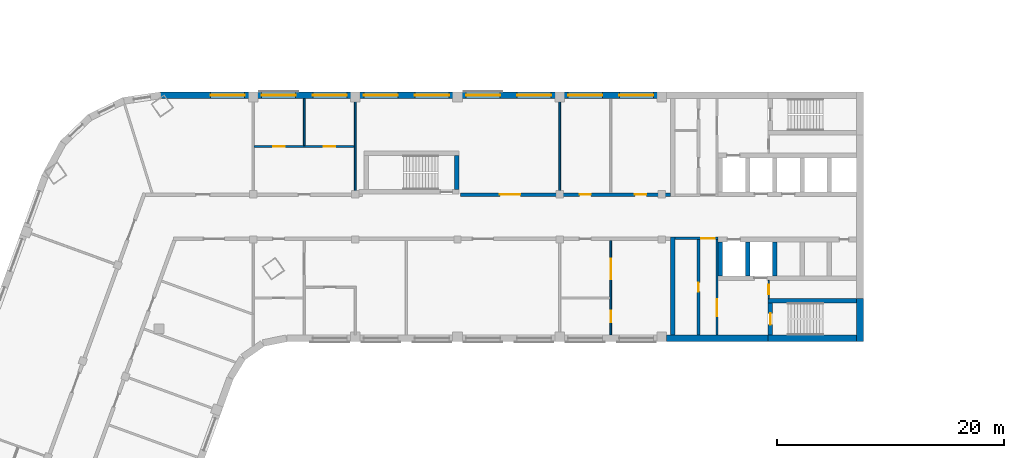
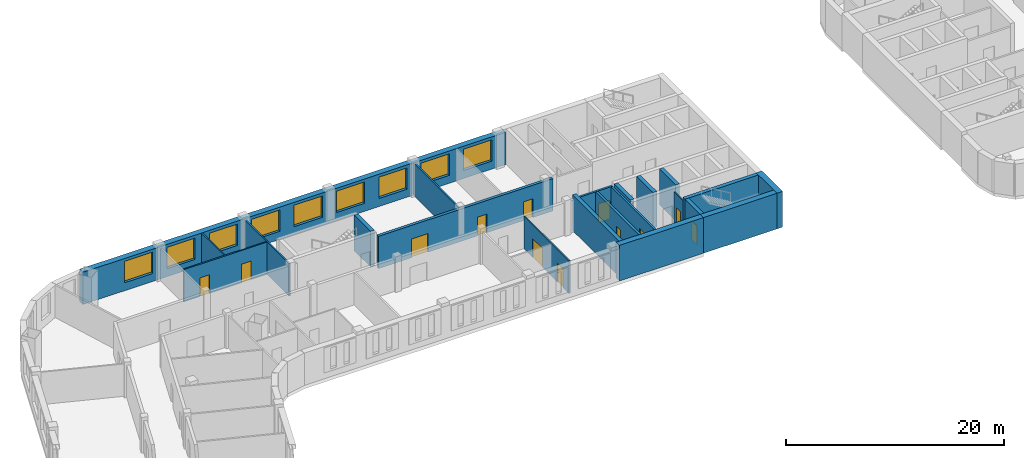
# One storey, part 5 of 10: 21 walls, 12 doors, 9 windows, 21 openings.
"""IFC4 building model written with IfcOpenShell, lengths in metres."""

from ifc_helpers import new_model, si_unit, direction, frame, frame_2d, origin, place, context, subcontext, project, spatial, rectangle, extrude, material, layer, layer_set, type_object, element, fill, save


model = new_model("IFC4")

# Units and contexts
model_context = context("Model", 3, precision=1e-05, world=origin(), true_north=direction((0.0, 1.0)))
body_context = subcontext(model_context, "Body", "Model", "MODEL_VIEW")
ifc_project = project(units=[si_unit("LENGTHUNIT", "METRE"), si_unit("AREAUNIT", "SQUARE_METRE"), si_unit("VOLUMEUNIT", "CUBIC_METRE"), si_unit("PLANEANGLEUNIT", "RADIAN"), si_unit("MASSUNIT", "GRAM", prefix="KILO")], contexts=[model_context])

# Site, building, storey
site_placement = place(None, origin())
site = spatial("IfcSite", under=ifc_project, at=site_placement, CompositionType="ELEMENT")
building_placement = place(site_placement, origin())
building = spatial("IfcBuilding", under=site, at=building_placement, Name="Skarvind Civic Tower", CompositionType="ELEMENT")
storey_placement = place(building_placement, frame((0.0, 0.0, 97.0)))
storey = spatial("IfcBuildingStorey", under=building, at=storey_placement, Name="L22", CompositionType="ELEMENT", Elevation=97.0)

# Wall, openings, doors
ifc_material_1 = material(Name="Fire-rated gypsum board on steel studs", Category="steel")
ifc_layer_1 = layer(ifc_material_1, 0.300048828125)
ifc_layer_set_1 = layer_set([ifc_layer_1], Name="CORRIDOR WALL 300")
wall_type_1 = type_object("IfcWallType", Name="CORRIDOR WALL 300", PredefinedType="PARTITIONING", material=ifc_layer_set_1)
wall_1_placement = place(storey_placement, frame((72.5, 129.949951171875, 0.0), z_axis=(0.0, 0.0, 1.0), x_axis=(1.0, 0.0, 0.0)))
wall_1 = element("IfcWall", 1, at=wall_1_placement, inside=storey, type_object=wall_type_1, Name="Partition 22.029", PredefinedType="PARTITIONING", context=body_context, shape_type="SweptSolid", body=[
    extrude(rectangle(XDim=18.5, YDim=0.300048828125, at=frame_2d((9.25, 0.0))), origin(), (0.0, 0.0, 1.0), 3.625),
])
opening_1_placement = place(wall_1_placement, frame((15.375, 0.0, 0.0)))
opening_1 = element("IfcOpeningElement", 2, at=opening_1_placement, cuts=wall_1, Name="Opening L22-D001", PredefinedType="OPENING", context=body_context, shape_type="SweptSolid", body=[
    extrude(rectangle(XDim=1.0, YDim=2.10009765625, at=frame_2d((0.5, 1.050048828125))), frame((0.0, 0.159912109375, 0.0), z_axis=(0.0, -1.0, 0.0), x_axis=(1.0, 0.0, 0.0)), (0.0, 0.0, 1.0), 0.320068359375),
])
opening_2_placement = place(wall_1_placement, frame((10.5, 0.0, 0.0)))
opening_2 = element("IfcOpeningElement", 3, at=opening_2_placement, cuts=wall_1, Name="Opening L22-D002", PredefinedType="OPENING", context=body_context, shape_type="SweptSolid", body=[
    extrude(rectangle(XDim=1.0, YDim=2.10009765625, at=frame_2d((0.5, 1.050048828125))), frame((0.0, 0.159912109375, 0.0), z_axis=(0.0, -1.0, 0.0), x_axis=(1.0, 0.0, 0.0)), (0.0, 0.0, 1.0), 0.320068359375),
])
opening_3_placement = place(wall_1_placement, frame((3.47509765625, 0.0, 0.0)))
opening_3 = element("IfcOpeningElement", 4, at=opening_3_placement, cuts=wall_1, Name="Opening L22-D003", PredefinedType="OPENING", context=body_context, shape_type="SweptSolid", body=[
    extrude(rectangle(XDim=1.800048828125, YDim=2.10009765625, at=frame_2d((0.89990234375, 1.050048828125))), frame((0.0, 0.159912109375, 0.0), z_axis=(0.0, -1.0, 0.0), x_axis=(1.0, 0.0, 0.0)), (0.0, 0.0, 1.0), 0.320068359375),
])
ifc_material_2 = material(Name="Fire-rated timber door leaf", Category="wood")
door_type_1 = type_object("IfcDoorType", Name="FD1 1000x2100", OperationType="NOTDEFINED", PredefinedType="DOOR", material=ifc_material_2)
door_1_placement = place(opening_1_placement, origin())
door_1 = element("IfcDoor", 5, at=door_1_placement, inside=storey, type_object=door_type_1, Name="Door L22-D001", OperationType="SINGLE_SWING_LEFT", OverallHeight=2.10009765625, OverallWidth=1.0, PredefinedType="DOOR", context=body_context, shape_type="SweptSolid", body=[
    extrude(rectangle(XDim=1.0, YDim=2.10009765625, at=frame_2d((0.5, 1.050048828125))), frame((0.0, 0.02490234375, 0.0), z_axis=(0.0, -1.0, 0.0), x_axis=(1.0, 0.0, 0.0)), (0.0, 0.0, 1.0), 0.050048828125),
])
fill(opening_1, door_1)
door_2_placement = place(opening_2_placement, origin())
door_2 = element("IfcDoor", 6, at=door_2_placement, inside=storey, type_object=door_type_1, Name="Door L22-D002", OperationType="SINGLE_SWING_LEFT", OverallHeight=2.10009765625, OverallWidth=1.0, PredefinedType="DOOR", context=body_context, shape_type="SweptSolid", body=[
    extrude(rectangle(XDim=1.0, YDim=2.10009765625, at=frame_2d((0.5, 1.050048828125))), frame((0.0, 0.02490234375, 0.0), z_axis=(0.0, -1.0, 0.0), x_axis=(1.0, 0.0, 0.0)), (0.0, 0.0, 1.0), 0.050048828125),
])
fill(opening_2, door_2)
door_type_2 = type_object("IfcDoorType", Name="FD4 1800x2100", OperationType="NOTDEFINED", PredefinedType="DOOR", material=ifc_material_2)
door_3_placement = place(opening_3_placement, origin())
door_3 = element("IfcDoor", 7, at=door_3_placement, inside=storey, type_object=door_type_2, Name="Door L22-D003", OperationType="DOUBLE_DOOR_SINGLE_SWING", OverallHeight=2.10009765625, OverallWidth=1.800048828125, PredefinedType="DOOR", context=body_context, shape_type="SweptSolid", body=[
    extrude(rectangle(XDim=1.800048828125, YDim=2.10009765625, at=frame_2d((0.89990234375, 1.050048828125))), frame((0.0, 0.02490234375, 0.0), z_axis=(0.0, -1.0, 0.0), x_axis=(1.0, 0.0, 0.0)), (0.0, 0.0, 1.0), 0.050048828125),
])
fill(opening_3, door_3)

# Wall, opening, door
ifc_material_3 = material(Name="Fire-rated masonry partition", Category="masonry")
ifc_layer_2 = layer(ifc_material_3, 0.199951171875)
ifc_layer_set_2 = layer_set([ifc_layer_2], Name="Core enclosure wall 200")
wall_type_2 = type_object("IfcWallType", Name="Core enclosure wall 200", PredefinedType="PARTITIONING", material=ifc_layer_set_2)
wall_2_placement = place(storey_placement, frame((95.199951171875, 126.10009765625, 0.0), z_axis=(0.0, 0.0, 1.0), x_axis=(-1.0, 0.0, 0.0)))
wall_2 = element("IfcWall", 8, at=wall_2_placement, inside=storey, type_object=wall_type_2, Name="Core wall C1", PredefinedType="PARTITIONING", context=body_context, shape_type="SweptSolid", body=[
    extrude(rectangle(XDim=3.800048828125, YDim=0.199951171875, at=frame_2d((1.89990234375, 0.0))), origin(), (0.0, 0.0, 1.0), 3.625),
])
opening_4_placement = place(wall_2_placement, frame((0.300048828125, 0.0, 0.0)))
opening_4 = element("IfcOpeningElement", 9, at=opening_4_placement, cuts=wall_2, Name="Opening D-L22-C1-05", PredefinedType="OPENING", context=body_context, shape_type="SweptSolid", body=[
    extrude(rectangle(XDim=1.199951171875, YDim=2.10009765625, at=frame_2d((0.60009765625, 1.050048828125))), frame((0.0, 0.10986328125, 0.0), z_axis=(0.0, -1.0, 0.0), x_axis=(1.0, 0.0, 0.0)), (0.0, 0.0, 1.0), 0.219970703125),
])
ifc_material_4 = material(Name="Fire-rated steel door", Category="steel")
door_type_3 = type_object("IfcDoorType", Name="Core lobby door 1200", OperationType="NOTDEFINED", PredefinedType="DOOR", material=ifc_material_4)
door_4_placement = place(opening_4_placement, origin())
door_4 = element("IfcDoor", 10, at=door_4_placement, inside=storey, type_object=door_type_3, Name="Fire door", OperationType="DOUBLE_DOOR_SINGLE_SWING", OverallHeight=2.10009765625, OverallWidth=1.199951171875, PredefinedType="DOOR", context=body_context, shape_type="SweptSolid", body=[
    extrude(rectangle(XDim=1.199951171875, YDim=2.10009765625, at=frame_2d((0.60009765625, 1.050048828125))), frame((0.0, 0.02490234375, 0.0), z_axis=(0.0, -1.0, 0.0), x_axis=(1.0, 0.0, 0.0)), (0.0, 0.0, 1.0), 0.050048828125),
])
fill(opening_4, door_4)

wall_3_placement = place(storey_placement, frame((95.10009765625, 117.60009765625, 0.0), z_axis=(0.0, 0.0, 1.0), x_axis=(0.0, 1.0, 0.0)))
wall_3 = element("IfcWall", 11, at=wall_3_placement, inside=storey, type_object=wall_type_2, Name="Core wall C1", PredefinedType="PARTITIONING", context=body_context, shape_type="SweptSolid", body=[
    extrude(rectangle(XDim=8.39990234375, YDim=0.199951171875, at=frame_2d((4.199951171875, 0.0))), origin(), (0.0, 0.0, 1.0), 3.625),
])
opening_5_placement = place(wall_3_placement, frame((1.64990234375, 0.0, 0.0)))
opening_5 = element("IfcOpeningElement", 12, at=opening_5_placement, cuts=wall_3, Name="Opening D-L22-C1-06", PredefinedType="OPENING", context=body_context, shape_type="SweptSolid", body=[
    extrude(rectangle(XDim=1.5, YDim=2.10009765625, at=frame_2d((0.75, 1.050048828125))), frame((0.0, 0.10986328125, 0.0), z_axis=(0.0, -1.0, 0.0), x_axis=(1.0, 0.0, 0.0)), (0.0, 0.0, 1.0), 0.219970703125),
])
door_type_4 = type_object("IfcDoorType", Name="Fire door 1500", OperationType="NOTDEFINED", PredefinedType="DOOR", material=ifc_material_4)
door_5_placement = place(opening_5_placement, origin())
door_5 = element("IfcDoor", 13, at=door_5_placement, inside=storey, type_object=door_type_4, Name="Fire door", OperationType="DOUBLE_DOOR_SINGLE_SWING", OverallHeight=2.10009765625, OverallWidth=1.5, PredefinedType="DOOR", context=body_context, shape_type="SweptSolid", body=[
    extrude(rectangle(XDim=1.5, YDim=2.10009765625, at=frame_2d((0.75, 1.050048828125))), frame((0.0, 0.02490234375, 0.0), z_axis=(0.0, -1.0, 0.0), x_axis=(1.0, 0.0, 0.0)), (0.0, 0.0, 1.0), 0.050048828125),
])
fill(opening_5, door_5)

# Wall
ifc_material_5 = material(Name="Concrete C80", Category="concrete")
ifc_layer_3 = layer(ifc_material_5, 0.39990234375)
ifc_layer_set_3 = layer_set([ifc_layer_3], Name="Core wall 400 C80")
wall_type_3 = type_object("IfcWallType", Name="Core wall 400 C80", PredefinedType="SHEAR", material=ifc_layer_set_3)
wall_4_placement = place(storey_placement, frame((107.39990234375, 120.60009765625, 0.0), z_axis=(0.0, 0.0, 1.0), x_axis=(-1.0, 0.0, 0.0)))
element("IfcWall", 14, at=wall_4_placement, inside=storey, type_object=wall_type_3, Name="Core wall C1 north stair inner L22", PredefinedType="SHEAR", context=body_context, shape_type="SweptSolid", body=[
    extrude(rectangle(XDim=7.7998046875, YDim=0.39990234375, at=frame_2d((3.89990234375, 0.0))), origin(), (0.0, 0.0, 1.0), 4.0),
])

# Wall, opening, door
wall_5_placement = place(storey_placement, frame((99.800048828125, 120.39990234375, 0.0), z_axis=(0.0, 0.0, 1.0), x_axis=(0.0, -1.0, 0.0)))
wall_5 = element("IfcWall", 15, at=wall_5_placement, inside=storey, type_object=wall_type_3, Name="Core wall C1 north stair end L22", PredefinedType="SHEAR", context=body_context, shape_type="SweptSolid", body=[
    extrude(rectangle(XDim=2.7998046875, YDim=0.39990234375, at=frame_2d((1.39990234375, 0.0))), origin(), (0.0, 0.0, 1.0), 4.0),
])
opening_6_placement = place(wall_5_placement, frame((0.89990234375, 0.0, 0.0)))
opening_6 = element("IfcOpeningElement", 16, at=opening_6_placement, cuts=wall_5, Name="Opening D-L22-C1-07", PredefinedType="OPENING", context=body_context, shape_type="SweptSolid", body=[
    extrude(rectangle(XDim=1.0, YDim=2.10009765625, at=frame_2d((0.5, 1.050048828125))), frame((0.0, 0.2099609375, 0.0), z_axis=(0.0, -1.0, 0.0), x_axis=(1.0, 0.0, 0.0)), (0.0, 0.0, 1.0), 0.419921875),
])
door_type_5 = type_object("IfcDoorType", Name="Fire door 1000", OperationType="NOTDEFINED", PredefinedType="DOOR", material=ifc_material_4)
door_6_placement = place(opening_6_placement, origin())
door_6 = element("IfcDoor", 17, at=door_6_placement, inside=storey, type_object=door_type_5, Name="Fire door", OperationType="SINGLE_SWING_LEFT", OverallHeight=2.10009765625, OverallWidth=1.0, PredefinedType="DOOR", context=body_context, shape_type="SweptSolid", body=[
    extrude(rectangle(XDim=1.0, YDim=2.10009765625, at=frame_2d((0.5, 1.050048828125))), frame((0.0, 0.02490234375, 0.0), z_axis=(0.0, -1.0, 0.0), x_axis=(1.0, 0.0, 0.0)), (0.0, 0.0, 1.0), 0.050048828125),
])
fill(opening_6, door_6)

# Walls
for number, where, z_axis, x_axis, name in (
    (18, (100.199951171875, 125.800048828125, 0.0), (0.0, 0.0, 1.0), (0.0, -1.0, 0.0), "Core wall C1 north lift row division 3 L22"),
    (19, (97.800048828125, 125.800048828125, 0.0), (0.0, 0.0, 1.0), (0.0, -1.0, 0.0), "Core wall C1 north lift row division 4 L22"),
    (20, (95.39990234375, 125.800048828125, 0.0), (0.0, 0.0, 1.0), (0.0, -1.0, 0.0), "Core wall C1 north lift row division 5 L22"),
):
    element("IfcWall", number, at=place(storey_placement, frame(where, z_axis=z_axis, x_axis=x_axis)), inside=storey, type_object=wall_type_3, Name=name, PredefinedType="SHEAR", context=body_context, shape_type="SweptSolid", body=[
        extrude(rectangle(XDim=3.0, YDim=0.39990234375, at=frame_2d((1.5, 0.0))), origin(), (0.0, 0.0, 1.0), 4.0),
    ])
wall_6_placement = place(storey_placement, frame((91.199951171875, 126.199951171875, 0.0), z_axis=(0.0, 0.0, 1.0), x_axis=(0.0, -1.0, 0.0)))
element("IfcWall", 21, at=wall_6_placement, inside=storey, type_object=wall_type_3, Name="Core wall C1 north inner face L22", PredefinedType="SHEAR", context=body_context, shape_type="SweptSolid", body=[
    extrude(rectangle(XDim=8.599853515625, YDim=0.39990234375, at=frame_2d((4.2998046875, 0.0))), origin(), (0.0, 0.0, 1.0), 4.0),
])
wall_7_placement = place(storey_placement, frame((72.199951171875, 130.39990234375, 0.0), z_axis=(0.0, 0.0, 1.0), x_axis=(0.0, 1.0, 0.0)))
element("IfcWall", 22, at=wall_7_placement, inside=storey, type_object=wall_type_3, Name="Core wall CM end L22", PredefinedType="SHEAR", context=body_context, shape_type="SweptSolid", body=[
    extrude(rectangle(XDim=3.0, YDim=0.39990234375, at=frame_2d((1.5, 0.0))), origin(), (0.0, 0.0, 1.0), 4.0),
])
ifc_layer_4 = layer(ifc_material_5, 0.60009765625)
ifc_layer_set_4 = layer_set([ifc_layer_4], Name="Core wall 600 C80")
wall_type_4 = type_object("IfcWallType", Name="Core wall 600 C80", PredefinedType="SHEAR", material=ifc_layer_set_4)
wall_8_placement = place(storey_placement, frame((107.699951171875, 120.800048828125, 0.0), z_axis=(0.0, 0.0, 1.0), x_axis=(0.0, -1.0, 0.0)))
element("IfcWall", 23, at=wall_8_placement, inside=storey, type_object=wall_type_4, Name="Core wall C1 tip at the north stair L22", PredefinedType="SHEAR", context=body_context, shape_type="SweptSolid", body=[
    extrude(rectangle(XDim=3.800048828125, YDim=0.60009765625, at=frame_2d((1.89990234375, 0.0))), origin(), (0.0, 0.0, 1.0), 4.0),
])
wall_9_placement = place(storey_placement, frame((107.39990234375, 117.300048828125, 0.0), z_axis=(0.0, 0.0, 1.0), x_axis=(-1.0, 0.0, 0.0)))
element("IfcWall", 24, at=wall_9_placement, inside=storey, type_object=wall_type_4, Name="Core wall C1 north side at the stair L22", PredefinedType="SHEAR", context=body_context, shape_type="SweptSolid", body=[
    extrude(rectangle(XDim=7.7998046875, YDim=0.60009765625, at=frame_2d((3.89990234375, 0.0))), origin(), (0.0, 0.0, 1.0), 4.0),
])
wall_10_placement = place(storey_placement, frame((99.60009765625, 117.300048828125, 0.0), z_axis=(0.0, 0.0, 1.0), x_axis=(-1.0, 0.0, 0.0)))
element("IfcWall", 25, at=wall_10_placement, inside=storey, type_object=wall_type_4, Name="Core wall C1 north side L22", PredefinedType="SHEAR", context=body_context, shape_type="SweptSolid", body=[
    extrude(rectangle(XDim=8.925048828125, YDim=0.60009765625, at=frame_2d((4.46240234375, 0.0))), origin(), (0.0, 0.0, 1.0), 4.0),
])

# Wall, openings, doors
ifc_material_6 = material(Name="Plasterboard partition on steel studs", Category="steel")
ifc_layer_5 = layer(ifc_material_6, 0.14990234375)
ifc_layer_set_5 = layer_set([ifc_layer_5], Name="PARTITION 150")
wall_type_5 = type_object("IfcWallType", Name="PARTITION 150", PredefinedType="PARTITIONING", material=ifc_layer_set_5)
wall_11_placement = place(storey_placement, frame((63.175048828125, 134.199951171875, 0.0), z_axis=(0.0, 0.0, 1.0), x_axis=(-1.0, 0.0, 0.0)))
wall_11 = element("IfcWall", 26, at=wall_11_placement, inside=storey, type_object=wall_type_5, Name="Partition 22.021", PredefinedType="PARTITIONING", context=body_context, shape_type="SweptSolid", body=[
    extrude(rectangle(XDim=8.837158203125, YDim=0.14990234375, at=frame_2d((4.41845703125, 0.0))), origin(), (0.0, 0.0, 1.0), 3.625),
])
opening_7_placement = place(wall_11_placement, frame((1.702392578125, 0.0, 0.0)))
opening_7 = element("IfcOpeningElement", 27, at=opening_7_placement, cuts=wall_11, Name="Opening L22-D004", PredefinedType="OPENING", context=body_context, shape_type="SweptSolid", body=[
    extrude(rectangle(XDim=1.0, YDim=2.10009765625, at=frame_2d((0.5, 1.050048828125))), frame((0.0, 0.0849609375, 0.0), z_axis=(0.0, -1.0, 0.0), x_axis=(1.0, 0.0, 0.0)), (0.0, 0.0, 1.0), 0.169921875),
])
opening_8_placement = place(wall_11_placement, frame((6.14111328125, 0.0, 0.0)))
opening_8 = element("IfcOpeningElement", 28, at=opening_8_placement, cuts=wall_11, Name="Opening L22-D005", PredefinedType="OPENING", context=body_context, shape_type="SweptSolid", body=[
    extrude(rectangle(XDim=1.0, YDim=2.10009765625, at=frame_2d((0.5, 1.050048828125))), frame((0.0, 0.0849609375, 0.0), z_axis=(0.0, -1.0, 0.0), x_axis=(1.0, 0.0, 0.0)), (0.0, 0.0, 1.0), 0.169921875),
])
ifc_material_7 = material(Name="Timber door leaf", Category="wood")
door_type_6 = type_object("IfcDoorType", Name="D1 1000x2100", OperationType="NOTDEFINED", PredefinedType="DOOR", material=ifc_material_7)
door_7_placement = place(opening_7_placement, origin())
door_7 = element("IfcDoor", 29, at=door_7_placement, inside=storey, type_object=door_type_6, Name="Door L22-D004", OperationType="SINGLE_SWING_LEFT", OverallHeight=2.10009765625, OverallWidth=1.0, PredefinedType="DOOR", context=body_context, shape_type="SweptSolid", body=[
    extrude(rectangle(XDim=1.0, YDim=2.10009765625, at=frame_2d((0.5, 1.050048828125))), frame((0.0, 0.02490234375, 0.0), z_axis=(0.0, -1.0, 0.0), x_axis=(1.0, 0.0, 0.0)), (0.0, 0.0, 1.0), 0.050048828125),
])
fill(opening_7, door_7)
door_8_placement = place(opening_8_placement, origin())
door_8 = element("IfcDoor", 30, at=door_8_placement, inside=storey, type_object=door_type_6, Name="Door L22-D005", OperationType="SINGLE_SWING_RIGHT", OverallHeight=2.10009765625, OverallWidth=1.0, PredefinedType="DOOR", context=body_context, shape_type="SweptSolid", body=[
    extrude(rectangle(XDim=1.0, YDim=2.10009765625, at=frame_2d((0.5, 1.050048828125))), frame((0.0, 0.02490234375, 0.0), z_axis=(0.0, -1.0, 0.0), x_axis=(1.0, 0.0, 0.0)), (0.0, 0.0, 1.0), 0.050048828125),
])
fill(opening_8, door_8)

# Walls
wall_12_placement = place(storey_placement, frame((58.75, 134.27490234375, 0.0), z_axis=(0.0, 0.0, 1.0), x_axis=(0.0, 1.0, 0.0)))
element("IfcWall", 31, at=wall_12_placement, inside=storey, type_object=wall_type_5, Name="Partition 22.024", PredefinedType="PARTITIONING", context=body_context, shape_type="SweptSolid", body=[
    extrude(rectangle(XDim=4.125, YDim=0.14990234375, at=frame_2d((2.0625, 0.0))), origin(), (0.0, 0.0, 1.0), 3.625),
])
for number, where, z_axis, x_axis, name in (
    (32, (63.25, 130.10009765625, 0.0), (0.0, 0.0, 1.0), (0.0, 1.0, 0.0), "Partition 22.027"),
    (33, (81.25, 130.10009765625, 0.0), (0.0, 0.0, 1.0), (0.0, 1.0, 0.0), "Partition 22.032"),
):
    element("IfcWall", number, at=place(storey_placement, frame(where, z_axis=z_axis, x_axis=x_axis)), inside=storey, type_object=wall_type_5, Name=name, PredefinedType="PARTITIONING", context=body_context, shape_type="SweptSolid", body=[
        extrude(rectangle(XDim=8.2998046875, YDim=0.14990234375, at=frame_2d((4.14990234375, 0.0))), origin(), (0.0, 0.0, 1.0), 3.625),
    ])

# Wall, openings, doors
wall_13_placement = place(storey_placement, frame((85.75, 117.60009765625, 0.0), z_axis=(0.0, 0.0, 1.0), x_axis=(0.0, 1.0, 0.0)))
wall_13 = element("IfcWall", 34, at=wall_13_placement, inside=storey, type_object=wall_type_5, Name="Partition 22.033", PredefinedType="PARTITIONING", context=body_context, shape_type="SweptSolid", body=[
    extrude(rectangle(XDim=8.2998046875, YDim=0.14990234375, at=frame_2d((4.14990234375, 0.0))), origin(), (0.0, 0.0, 1.0), 3.625),
])
opening_9_placement = place(wall_13_placement, frame((1.125, 0.0, 0.0)))
opening_9 = element("IfcOpeningElement", 35, at=opening_9_placement, cuts=wall_13, Name="Opening L22-D008", PredefinedType="OPENING", context=body_context, shape_type="SweptSolid", body=[
    extrude(rectangle(XDim=1.0, YDim=2.10009765625, at=frame_2d((0.5, 1.050048828125))), frame((0.0, 0.0849609375, 0.0), z_axis=(0.0, -1.0, 0.0), x_axis=(1.0, 0.0, 0.0)), (0.0, 0.0, 1.0), 0.169921875),
])
opening_10_placement = place(wall_13_placement, frame((4.883544921875, 0.0, 0.0)))
opening_10 = element("IfcOpeningElement", 36, at=opening_10_placement, cuts=wall_13, Name="Opening L22-D009", PredefinedType="OPENING", context=body_context, shape_type="SweptSolid", body=[
    extrude(rectangle(XDim=1.800048828125, YDim=2.10009765625, at=frame_2d((0.89990234375, 1.050048828125))), frame((0.0, 0.0849609375, 0.0), z_axis=(0.0, -1.0, 0.0), x_axis=(1.0, 0.0, 0.0)), (0.0, 0.0, 1.0), 0.169921875),
])
door_9_placement = place(opening_9_placement, origin())
door_9 = element("IfcDoor", 37, at=door_9_placement, inside=storey, type_object=door_type_6, Name="Door L22-D008", OperationType="SINGLE_SWING_RIGHT", OverallHeight=2.10009765625, OverallWidth=1.0, PredefinedType="DOOR", context=body_context, shape_type="SweptSolid", body=[
    extrude(rectangle(XDim=1.0, YDim=2.10009765625, at=frame_2d((0.5, 1.050048828125))), frame((0.0, 0.02490234375, 0.0), z_axis=(0.0, -1.0, 0.0), x_axis=(1.0, 0.0, 0.0)), (0.0, 0.0, 1.0), 0.050048828125),
])
fill(opening_9, door_9)
door_type_7 = type_object("IfcDoorType", Name="D4 1800x2100", OperationType="NOTDEFINED", PredefinedType="DOOR", material=ifc_material_7)
door_10_placement = place(opening_10_placement, origin())
door_10 = element("IfcDoor", 38, at=door_10_placement, inside=storey, type_object=door_type_7, Name="Door L22-D009", OperationType="DOUBLE_DOOR_SINGLE_SWING", OverallHeight=2.10009765625, OverallWidth=1.800048828125, PredefinedType="DOOR", context=body_context, shape_type="SweptSolid", body=[
    extrude(rectangle(XDim=1.800048828125, YDim=2.10009765625, at=frame_2d((0.89990234375, 1.050048828125))), frame((0.0, 0.02490234375, 0.0), z_axis=(0.0, -1.0, 0.0), x_axis=(1.0, 0.0, 0.0)), (0.0, 0.0, 1.0), 0.050048828125),
])
fill(opening_10, door_10)

# Wall, opening, door
ifc_layer_6 = layer(ifc_material_3, 0.125)
ifc_layer_set_6 = layer_set([ifc_layer_6], Name="Riser wall 125")
wall_type_6 = type_object("IfcWallType", Name="Riser wall 125", PredefinedType="PARTITIONING", material=ifc_layer_set_6)
wall_14_placement = place(storey_placement, frame((99.66259765625, 120.800048828125, 0.0), z_axis=(0.0, 0.0, 1.0), x_axis=(0.0, 1.0, 0.0)))
wall_14 = element("IfcWall", 39, at=wall_14_placement, inside=storey, type_object=wall_type_6, Name="Core wall C1", PredefinedType="PARTITIONING", context=body_context, shape_type="SweptSolid", body=[
    extrude(rectangle(XDim=1.599853515625, YDim=0.125, at=frame_2d((0.7998046875, 0.0))), origin(), (0.0, 0.0, 1.0), 3.625),
])
opening_11_placement = place(wall_14_placement, frame((0.39990234375, 0.0, 0.0)))
opening_11 = element("IfcOpeningElement", 40, at=opening_11_placement, cuts=wall_14, Name="Opening D-L22-C1-08", PredefinedType="OPENING", context=body_context, shape_type="SweptSolid", body=[
    extrude(rectangle(XDim=0.800048828125, YDim=2.10009765625, at=frame_2d((0.39990234375, 1.050048828125))), frame((0.0, 0.072509765625, 0.0), z_axis=(0.0, -1.0, 0.0), x_axis=(1.0, 0.0, 0.0)), (0.0, 0.0, 1.0), 0.14501953125),
])
door_type_8 = type_object("IfcDoorType", Name="Core riser door 800", OperationType="NOTDEFINED", PredefinedType="DOOR", material=ifc_material_4)
door_11_placement = place(opening_11_placement, origin())
door_11 = element("IfcDoor", 41, at=door_11_placement, inside=storey, type_object=door_type_8, Name="Riser door", OperationType="SINGLE_SWING_RIGHT", OverallHeight=2.10009765625, OverallWidth=0.800048828125, PredefinedType="DOOR", context=body_context, shape_type="SweptSolid", body=[
    extrude(rectangle(XDim=0.800048828125, YDim=2.10009765625, at=frame_2d((0.39990234375, 1.050048828125))), frame((0.0, 0.02490234375, 0.0), z_axis=(0.0, -1.0, 0.0), x_axis=(1.0, 0.0, 0.0)), (0.0, 0.0, 1.0), 0.050048828125),
])
fill(opening_11, door_11)

ifc_layer_7 = layer(ifc_material_3, 0.25)
ifc_layer_set_7 = layer_set([ifc_layer_7], Name="Service block wall 250")
wall_type_7 = type_object("IfcWallType", Name="Service block wall 250", PredefinedType="PARTITIONING", material=ifc_layer_set_7)
wall_15_placement = place(storey_placement, frame((93.47509765625, 117.60009765625, 0.0), z_axis=(0.0, 0.0, 1.0), x_axis=(0.0, 1.0, 0.0)))
wall_15 = element("IfcWall", 42, at=wall_15_placement, inside=storey, type_object=wall_type_7, Name="Core wall C1", PredefinedType="PARTITIONING", context=body_context, shape_type="SweptSolid", body=[
    extrude(rectangle(XDim=8.39990234375, YDim=0.25, at=frame_2d((4.199951171875, 0.0))), origin(), (0.0, 0.0, 1.0), 3.625),
])
opening_12_placement = place(wall_15_placement, frame((3.800048828125, 0.0, 0.0)))
opening_12 = element("IfcOpeningElement", 43, at=opening_12_placement, cuts=wall_15, Name="Opening D-L22-C1-09", PredefinedType="OPENING", context=body_context, shape_type="SweptSolid", body=[
    extrude(rectangle(XDim=0.800048828125, YDim=2.10009765625, at=frame_2d((0.39990234375, 1.050048828125))), frame((0.0, 0.135009765625, 0.0), z_axis=(0.0, -1.0, 0.0), x_axis=(1.0, 0.0, 0.0)), (0.0, 0.0, 1.0), 0.27001953125),
])
door_12_placement = place(opening_12_placement, origin())
door_12 = element("IfcDoor", 44, at=door_12_placement, inside=storey, type_object=door_type_8, Name="Riser door", OperationType="SINGLE_SWING_LEFT", OverallHeight=2.10009765625, OverallWidth=0.800048828125, PredefinedType="DOOR", context=body_context, shape_type="SweptSolid", body=[
    extrude(rectangle(XDim=0.800048828125, YDim=2.10009765625, at=frame_2d((0.39990234375, 1.050048828125))), frame((0.0, 0.02490234375, 0.0), z_axis=(0.0, -1.0, 0.0), x_axis=(1.0, 0.0, 0.0)), (0.0, 0.0, 1.0), 0.050048828125),
])
fill(opening_12, door_12)

# Wall, openings, windows
ifc_material_8 = material(Name="Limestone masonry cladding on insulated backing", Category="masonry")
ifc_layer_8 = layer(ifc_material_8, 0.60009765625)
ifc_layer_set_8 = layer_set([ifc_layer_8], Name="WX1 STONE FACADE WALL 600")
wall_type_8 = type_object("IfcWallType", Name="WX1 STONE FACADE WALL 600", PredefinedType="SOLIDWALL", material=ifc_layer_set_8)
wall_16_placement = place(storey_placement, frame((46.095458984375, 138.699951171875, 0.0), z_axis=(0.0, 0.0, 1.0), x_axis=(1.0, 0.0, 0.0)))
wall_16 = element("IfcWall", 45, at=wall_16_placement, inside=storey, type_object=wall_type_8, Name="STONE FACADE WALL", PredefinedType="SOLIDWALL", context=body_context, shape_type="SweptSolid", body=[
    extrude(rectangle(XDim=44.884521484375, YDim=0.60009765625, at=frame_2d((22.4423828125, 0.0))), origin(), (0.0, 0.0, 1.0), 3.625),
])
opening_13_placement = place(wall_16_placement, frame((4.404541015625, 0.0, 0.89990234375)))
opening_13 = element("IfcOpeningElement", 46, at=opening_13_placement, cuts=wall_16, Name="Opening WN1", PredefinedType="OPENING", context=body_context, shape_type="SweptSolid", body=[
    extrude(rectangle(XDim=3.0, YDim=2.39990234375, at=frame_2d((1.5, 1.199951171875))), frame((0.0, 0.31005859375, 0.0), z_axis=(0.0, -1.0, 0.0), x_axis=(1.0, 0.0, 0.0)), (0.0, 0.0, 1.0), 0.6201171875),
])
opening_14_placement = place(wall_16_placement, frame((8.904541015625, 0.0, 0.89990234375)))
opening_14 = element("IfcOpeningElement", 47, at=opening_14_placement, cuts=wall_16, Name="Opening WN1", PredefinedType="OPENING", context=body_context, shape_type="SweptSolid", body=[
    extrude(rectangle(XDim=3.0, YDim=2.39990234375, at=frame_2d((1.5, 1.199951171875))), frame((0.0, 0.31005859375, 0.0), z_axis=(0.0, -1.0, 0.0), x_axis=(1.0, 0.0, 0.0)), (0.0, 0.0, 1.0), 0.6201171875),
])
opening_15_placement = place(wall_16_placement, frame((13.404541015625, 0.0, 0.89990234375)))
opening_15 = element("IfcOpeningElement", 48, at=opening_15_placement, cuts=wall_16, Name="Opening WN1", PredefinedType="OPENING", context=body_context, shape_type="SweptSolid", body=[
    extrude(rectangle(XDim=3.0, YDim=2.39990234375, at=frame_2d((1.5, 1.199951171875))), frame((0.0, 0.31005859375, 0.0), z_axis=(0.0, -1.0, 0.0), x_axis=(1.0, 0.0, 0.0)), (0.0, 0.0, 1.0), 0.6201171875),
])
opening_16_placement = place(wall_16_placement, frame((17.904541015625, 0.0, 0.89990234375)))
opening_16 = element("IfcOpeningElement", 49, at=opening_16_placement, cuts=wall_16, Name="Opening WN1", PredefinedType="OPENING", context=body_context, shape_type="SweptSolid", body=[
    extrude(rectangle(XDim=3.0, YDim=2.39990234375, at=frame_2d((1.5, 1.199951171875))), frame((0.0, 0.31005859375, 0.0), z_axis=(0.0, -1.0, 0.0), x_axis=(1.0, 0.0, 0.0)), (0.0, 0.0, 1.0), 0.6201171875),
])
opening_17_placement = place(wall_16_placement, frame((22.404541015625, 0.0, 0.89990234375)))
opening_17 = element("IfcOpeningElement", 50, at=opening_17_placement, cuts=wall_16, Name="Opening WN1", PredefinedType="OPENING", context=body_context, shape_type="SweptSolid", body=[
    extrude(rectangle(XDim=3.0, YDim=2.39990234375, at=frame_2d((1.5, 1.199951171875))), frame((0.0, 0.31005859375, 0.0), z_axis=(0.0, -1.0, 0.0), x_axis=(1.0, 0.0, 0.0)), (0.0, 0.0, 1.0), 0.6201171875),
])
opening_18_placement = place(wall_16_placement, frame((26.904541015625, 0.0, 0.89990234375)))
opening_18 = element("IfcOpeningElement", 51, at=opening_18_placement, cuts=wall_16, Name="Opening WN1", PredefinedType="OPENING", context=body_context, shape_type="SweptSolid", body=[
    extrude(rectangle(XDim=3.0, YDim=2.39990234375, at=frame_2d((1.5, 1.199951171875))), frame((0.0, 0.31005859375, 0.0), z_axis=(0.0, -1.0, 0.0), x_axis=(1.0, 0.0, 0.0)), (0.0, 0.0, 1.0), 0.6201171875),
])
opening_19_placement = place(wall_16_placement, frame((31.404541015625, 0.0, 0.89990234375)))
opening_19 = element("IfcOpeningElement", 52, at=opening_19_placement, cuts=wall_16, Name="Opening WN1", PredefinedType="OPENING", context=body_context, shape_type="SweptSolid", body=[
    extrude(rectangle(XDim=3.0, YDim=2.39990234375, at=frame_2d((1.5, 1.199951171875))), frame((0.0, 0.31005859375, 0.0), z_axis=(0.0, -1.0, 0.0), x_axis=(1.0, 0.0, 0.0)), (0.0, 0.0, 1.0), 0.6201171875),
])
opening_20_placement = place(wall_16_placement, frame((35.904541015625, 0.0, 0.89990234375)))
opening_20 = element("IfcOpeningElement", 53, at=opening_20_placement, cuts=wall_16, Name="Opening WN1", PredefinedType="OPENING", context=body_context, shape_type="SweptSolid", body=[
    extrude(rectangle(XDim=3.0, YDim=2.39990234375, at=frame_2d((1.5, 1.199951171875))), frame((0.0, 0.31005859375, 0.0), z_axis=(0.0, -1.0, 0.0), x_axis=(1.0, 0.0, 0.0)), (0.0, 0.0, 1.0), 0.6201171875),
])
opening_21_placement = place(wall_16_placement, frame((40.404541015625, 0.0, 0.89990234375)))
opening_21 = element("IfcOpeningElement", 54, at=opening_21_placement, cuts=wall_16, Name="Opening WN1", PredefinedType="OPENING", context=body_context, shape_type="SweptSolid", body=[
    extrude(rectangle(XDim=3.0, YDim=2.39990234375, at=frame_2d((1.5, 1.199951171875))), frame((0.0, 0.31005859375, 0.0), z_axis=(0.0, -1.0, 0.0), x_axis=(1.0, 0.0, 0.0)), (0.0, 0.0, 1.0), 0.6201171875),
])
ifc_material_9 = material(Name="Timber frame, double glazing, timber-lined reveal", Category="wood")
window_type = type_object("IfcWindowType", Name="WN1 PUNCHED STONE WINDOW 3000 x 2400", PartitioningType="SINGLE_PANEL", PredefinedType="WINDOW", material=ifc_material_9)
window_1_placement = place(opening_13_placement, origin())
window_1 = element("IfcWindow", 55, at=window_1_placement, inside=storey, type_object=window_type, Name="WN1 WINDOW", OverallHeight=2.39990234375, OverallWidth=3.0, PartitioningType="SINGLE_PANEL", PredefinedType="WINDOW", context=body_context, shape_type="SweptSolid", body=[
    extrude(rectangle(XDim=3.0, YDim=2.39990234375, at=frame_2d((1.5, 1.199951171875))), frame((0.0, 0.030029296875, 0.0), z_axis=(0.0, -1.0, 0.0), x_axis=(1.0, 0.0, 0.0)), (0.0, 0.0, 1.0), 0.06005859375),
])
fill(opening_13, window_1)
window_2_placement = place(opening_14_placement, origin())
window_2 = element("IfcWindow", 56, at=window_2_placement, inside=storey, type_object=window_type, Name="WN1 WINDOW", OverallHeight=2.39990234375, OverallWidth=3.0, PartitioningType="SINGLE_PANEL", PredefinedType="WINDOW", context=body_context, shape_type="SweptSolid", body=[
    extrude(rectangle(XDim=3.0, YDim=2.39990234375, at=frame_2d((1.5, 1.199951171875))), frame((0.0, 0.030029296875, 0.0), z_axis=(0.0, -1.0, 0.0), x_axis=(1.0, 0.0, 0.0)), (0.0, 0.0, 1.0), 0.06005859375),
])
fill(opening_14, window_2)
window_3_placement = place(opening_15_placement, origin())
window_3 = element("IfcWindow", 57, at=window_3_placement, inside=storey, type_object=window_type, Name="WN1 WINDOW", OverallHeight=2.39990234375, OverallWidth=3.0, PartitioningType="SINGLE_PANEL", PredefinedType="WINDOW", context=body_context, shape_type="SweptSolid", body=[
    extrude(rectangle(XDim=3.0, YDim=2.39990234375, at=frame_2d((1.5, 1.199951171875))), frame((0.0, 0.030029296875, 0.0), z_axis=(0.0, -1.0, 0.0), x_axis=(1.0, 0.0, 0.0)), (0.0, 0.0, 1.0), 0.06005859375),
])
fill(opening_15, window_3)
window_4_placement = place(opening_16_placement, origin())
window_4 = element("IfcWindow", 58, at=window_4_placement, inside=storey, type_object=window_type, Name="WN1 WINDOW", OverallHeight=2.39990234375, OverallWidth=3.0, PartitioningType="SINGLE_PANEL", PredefinedType="WINDOW", context=body_context, shape_type="SweptSolid", body=[
    extrude(rectangle(XDim=3.0, YDim=2.39990234375, at=frame_2d((1.5, 1.199951171875))), frame((0.0, 0.030029296875, 0.0), z_axis=(0.0, -1.0, 0.0), x_axis=(1.0, 0.0, 0.0)), (0.0, 0.0, 1.0), 0.06005859375),
])
fill(opening_16, window_4)
window_5_placement = place(opening_17_placement, origin())
window_5 = element("IfcWindow", 59, at=window_5_placement, inside=storey, type_object=window_type, Name="WN1 WINDOW", OverallHeight=2.39990234375, OverallWidth=3.0, PartitioningType="SINGLE_PANEL", PredefinedType="WINDOW", context=body_context, shape_type="SweptSolid", body=[
    extrude(rectangle(XDim=3.0, YDim=2.39990234375, at=frame_2d((1.5, 1.199951171875))), frame((0.0, 0.030029296875, 0.0), z_axis=(0.0, -1.0, 0.0), x_axis=(1.0, 0.0, 0.0)), (0.0, 0.0, 1.0), 0.06005859375),
])
fill(opening_17, window_5)
window_6_placement = place(opening_18_placement, origin())
window_6 = element("IfcWindow", 60, at=window_6_placement, inside=storey, type_object=window_type, Name="WN1 WINDOW", OverallHeight=2.39990234375, OverallWidth=3.0, PartitioningType="SINGLE_PANEL", PredefinedType="WINDOW", context=body_context, shape_type="SweptSolid", body=[
    extrude(rectangle(XDim=3.0, YDim=2.39990234375, at=frame_2d((1.5, 1.199951171875))), frame((0.0, 0.030029296875, 0.0), z_axis=(0.0, -1.0, 0.0), x_axis=(1.0, 0.0, 0.0)), (0.0, 0.0, 1.0), 0.06005859375),
])
fill(opening_18, window_6)
window_7_placement = place(opening_19_placement, origin())
window_7 = element("IfcWindow", 61, at=window_7_placement, inside=storey, type_object=window_type, Name="WN1 WINDOW", OverallHeight=2.39990234375, OverallWidth=3.0, PartitioningType="SINGLE_PANEL", PredefinedType="WINDOW", context=body_context, shape_type="SweptSolid", body=[
    extrude(rectangle(XDim=3.0, YDim=2.39990234375, at=frame_2d((1.5, 1.199951171875))), frame((0.0, 0.030029296875, 0.0), z_axis=(0.0, -1.0, 0.0), x_axis=(1.0, 0.0, 0.0)), (0.0, 0.0, 1.0), 0.06005859375),
])
fill(opening_19, window_7)
window_8_placement = place(opening_20_placement, origin())
window_8 = element("IfcWindow", 62, at=window_8_placement, inside=storey, type_object=window_type, Name="WN1 WINDOW", OverallHeight=2.39990234375, OverallWidth=3.0, PartitioningType="SINGLE_PANEL", PredefinedType="WINDOW", context=body_context, shape_type="SweptSolid", body=[
    extrude(rectangle(XDim=3.0, YDim=2.39990234375, at=frame_2d((1.5, 1.199951171875))), frame((0.0, 0.030029296875, 0.0), z_axis=(0.0, -1.0, 0.0), x_axis=(1.0, 0.0, 0.0)), (0.0, 0.0, 1.0), 0.06005859375),
])
fill(opening_20, window_8)
window_9_placement = place(opening_21_placement, origin())
window_9 = element("IfcWindow", 63, at=window_9_placement, inside=storey, type_object=window_type, Name="WN1 WINDOW", OverallHeight=2.39990234375, OverallWidth=3.0, PartitioningType="SINGLE_PANEL", PredefinedType="WINDOW", context=body_context, shape_type="SweptSolid", body=[
    extrude(rectangle(XDim=3.0, YDim=2.39990234375, at=frame_2d((1.5, 1.199951171875))), frame((0.0, 0.030029296875, 0.0), z_axis=(0.0, -1.0, 0.0), x_axis=(1.0, 0.0, 0.0)), (0.0, 0.0, 1.0), 0.06005859375),
])
fill(opening_21, window_9)

save(model, "model.ifc")
